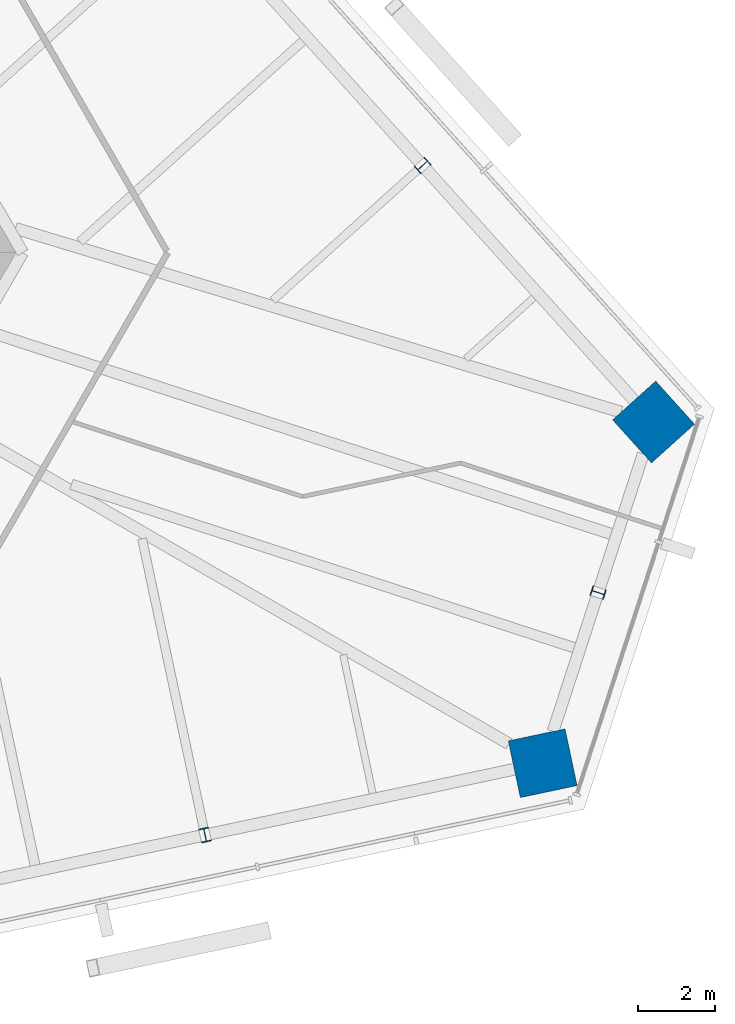
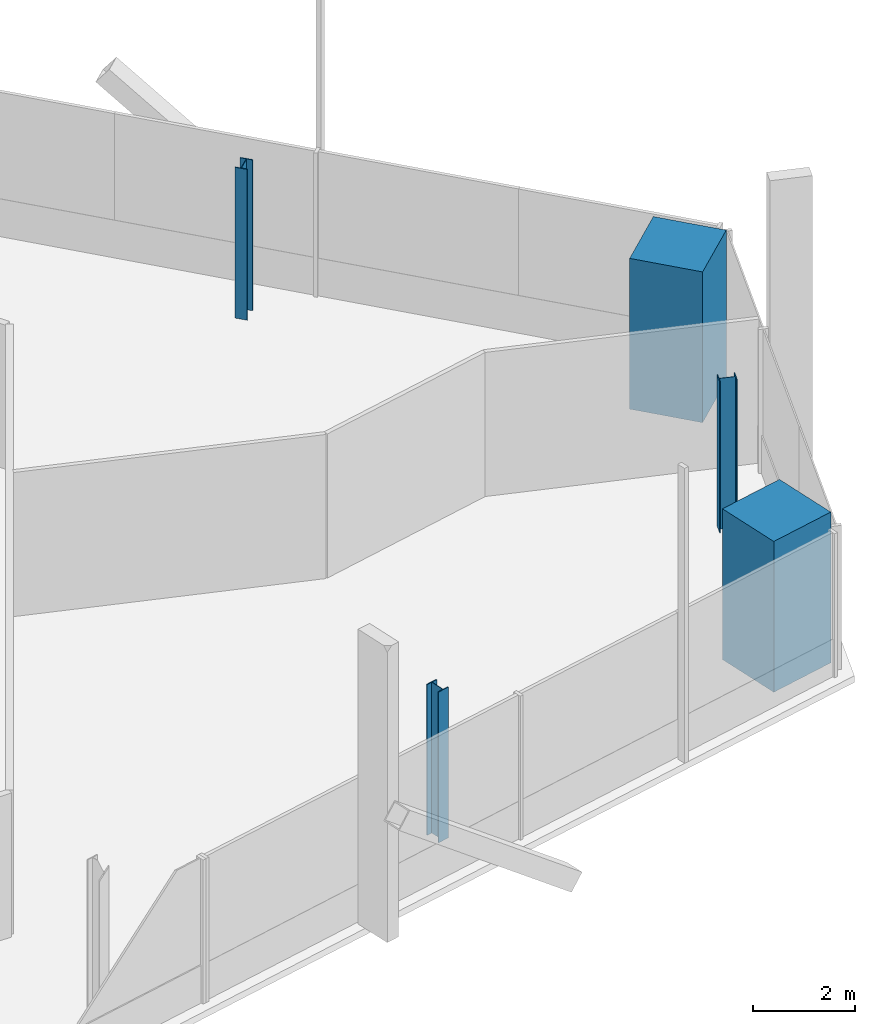
# One storey, part 2 of 16: 5 columns.
"""IFC4 building model written with IfcOpenShell, lengths in metres."""

from ifc_helpers import new_model, si_unit, direction, frame, origin, origin_2d, place, context, subcontext, project, spatial, rectangle, i_section, extrude, source, transform, mapped, material, material_profile, profile_set, type_object, element, save


model = new_model("IFC4")

# Units and contexts
model_context = context("Model", 3, precision=1e-05, world=origin(), true_north=direction((0.0, 1.0)))
body_context = subcontext(model_context, "Body", "Model", "MODEL_VIEW")
ifc_project = project(units=[si_unit("LENGTHUNIT", "METRE"), si_unit("AREAUNIT", "SQUARE_METRE"), si_unit("VOLUMEUNIT", "CUBIC_METRE"), si_unit("PLANEANGLEUNIT", "RADIAN"), si_unit("MASSUNIT", "GRAM", prefix="KILO")], contexts=[model_context])

# Site, building, storey
site_placement = place(None, origin())
site = spatial("IfcSite", under=ifc_project, at=site_placement, CompositionType="ELEMENT")
building_placement = place(site_placement, origin())
building = spatial("IfcBuilding", under=site, at=building_placement, Name="Triune Harvest Tower", CompositionType="ELEMENT")
storey_placement = place(building_placement, frame((0.0, 0.0, 266.699951171875)))
storey = spatial("IfcBuildingStorey", under=building, at=storey_placement, Name="L70", CompositionType="ELEMENT", Elevation=266.699951171875)

# Columns
ifc_material_1 = material(Name="Concrete 70 MPa", Category="concrete")
ifc_material_profile_1 = material_profile(ifc_material_1, rectangle(XDim=1.5, YDim=1.5, at=origin_2d()), Name="Composite 1500x1500")
ifc_profile_set_1 = profile_set([ifc_material_profile_1], Name="Concrete 70 MPa")
column_type_1 = type_object("IfcColumnType", Name="MC-7 Mega column Composite 1500x1500", PredefinedType="COLUMN", material=ifc_profile_set_1)
shared_shape_1 = source(origin(), body_context, "Body", "SweptSolid", [
    extrude(rectangle(XDim=1.5, YDim=1.5, at=origin_2d()), origin(), (0.0, 0.0, 1.0), 3.60009765625),
])
for number, where, z_axis, x_axis, name in (
    (1, (28.4931640625, -4.379150390625, 0.0), (0.0, 0.0, 1.0), (-0.669130606359, 0.743144825477, 0.0), "col/L70/M0"),
    (2, (25.62548828125, -13.205078125, 0.0), (0.0, 0.0, 1.0), (0.978147237858, 0.207913398007, 0.0), "col/L70/M19"),
):
    element("IfcColumn", number, at=place(storey_placement, frame(where, z_axis=z_axis, x_axis=x_axis)), inside=storey, type_object=column_type_1, Name=name, PredefinedType="COLUMN", context=body_context, shape_type="MappedRepresentation", body=[
        mapped(shared_shape_1, transform((0.0, 0.0, 0.0), scale=1.0)),
    ])
ifc_material_2 = material(Name="Steel ASTM A992 Gr 50", Category="steel")
ifc_material_profile_2 = material_profile(ifc_material_2, i_section(OverallWidth=0.256591796875, OverallDepth=0.360595703125, WebThickness=0.011474609375, FlangeThickness=0.02001953125, at=origin_2d()), Name="W14x74")
ifc_profile_set_2 = profile_set([ifc_material_profile_2], Name="Steel ASTM A992 Gr 50")
column_type_2 = type_object("IfcColumnType", Name="PC-7 Perimeter column W14x74", PredefinedType="COLUMN", material=ifc_profile_set_2)
shared_shape_2 = source(origin(), body_context, "Body", "SweptSolid", [
    extrude(i_section(OverallWidth=0.256591796875, OverallDepth=0.360595703125, WebThickness=0.011474609375, FlangeThickness=0.02001953125, at=origin_2d()), origin(), (0.0, 0.0, 1.0), 3.60009765625),
])
for number, where, z_axis, x_axis, name in (
    (3, (22.519287109375, 2.255615234375, 0.0), (0.0, 0.0, 1.0), (-0.669130606359, 0.743144825477, 0.0), "col/L70/P1"),
    (4, (16.892578125, -15.061279296875, 0.0), (0.0, 0.0, 1.0), (0.978147237858, 0.207913398007, 0.0), "col/L70/P18"),
    (5, (27.059326171875, -8.7919921875, 0.0), (0.0, 0.0, 1.0), (0.309016994375, 0.951056516295, 0.0), "col/L70/P20"),
):
    element("IfcColumn", number, at=place(storey_placement, frame(where, z_axis=z_axis, x_axis=x_axis)), inside=storey, type_object=column_type_2, Name=name, PredefinedType="COLUMN", context=body_context, shape_type="MappedRepresentation", body=[
        mapped(shared_shape_2, transform((0.0, 0.0, 0.0), scale=1.0)),
    ])

save(model, "model.ifc")
